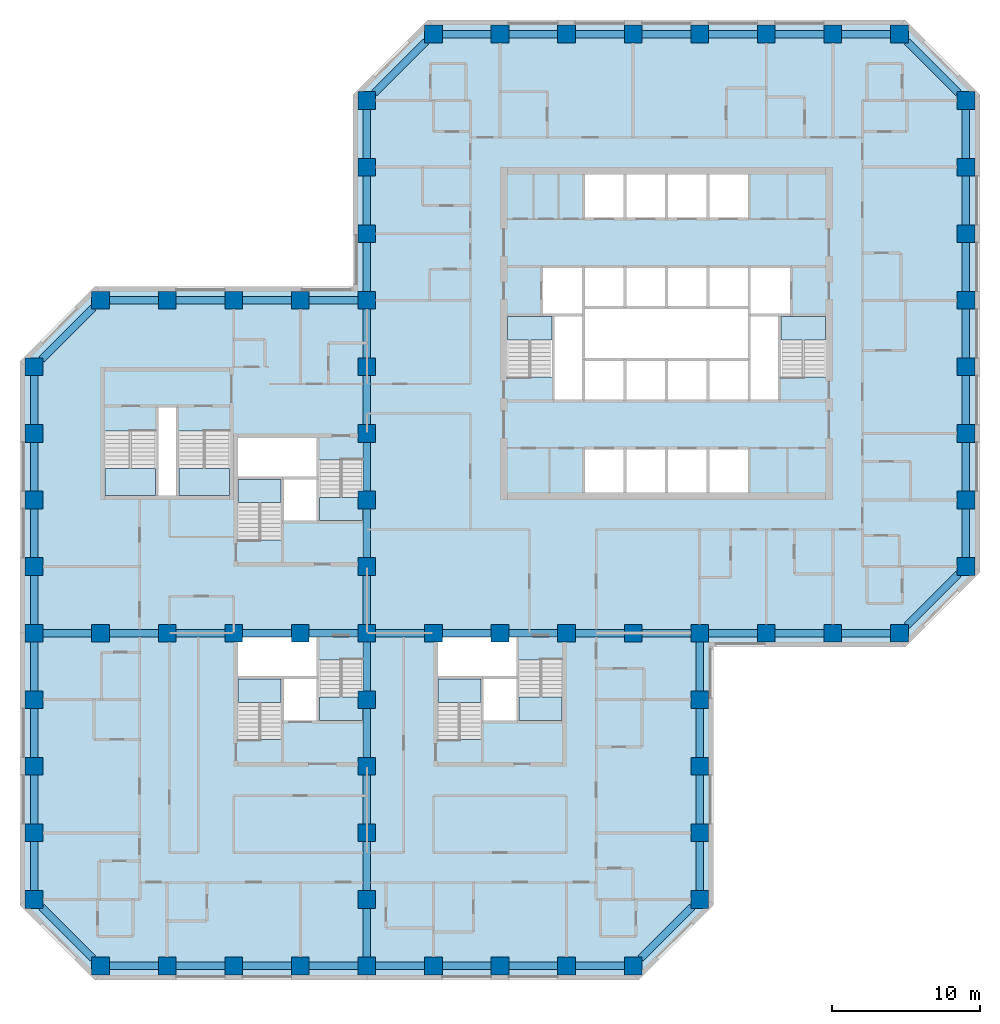
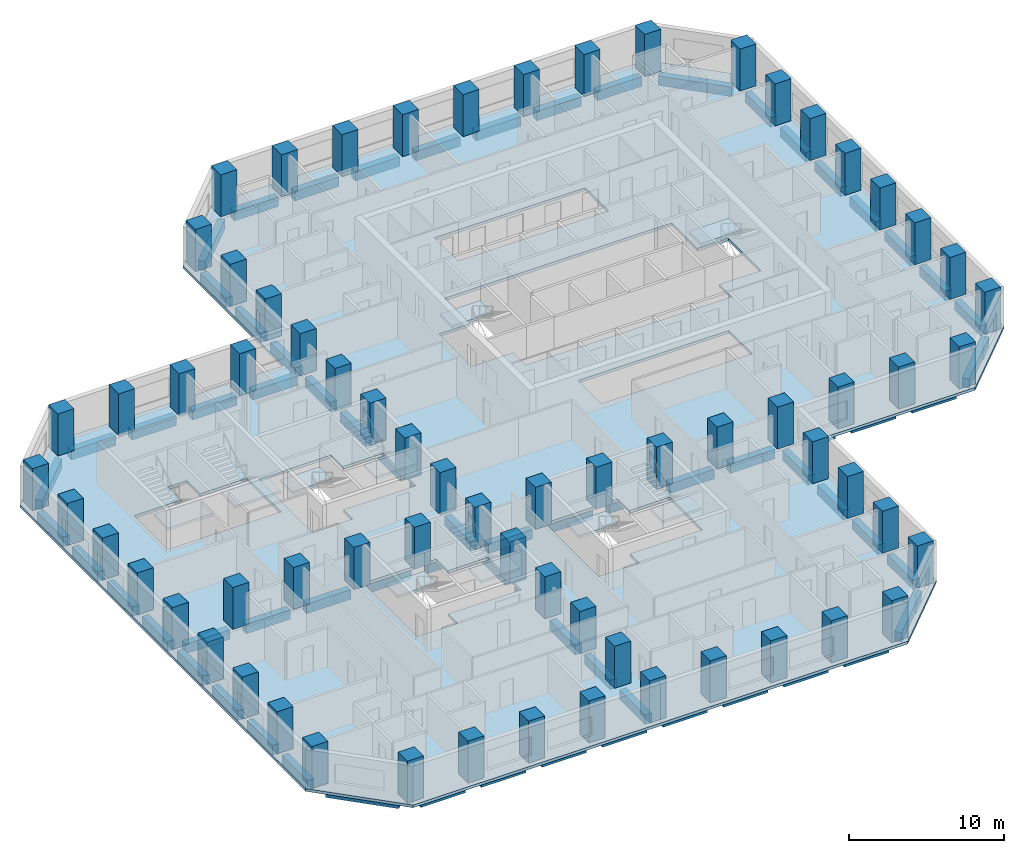
# One storey, part 1 of 12: 70 beams, 67 columns, 11 slabs, 10 elements without a shape of their own.
"""IFC4 building model written with IfcOpenShell, lengths in metres."""

from ifc_helpers import new_model, si_unit, direction, frame, origin, origin_2d, place, context, subcontext, project, spatial, polyline, rectangle, outline, extrude, material, layer, layer_set, material_profile, profile_set, type_object, element, aggregate, save


model = new_model("IFC4")

# Units and contexts
model_context = context("Model", 3, precision=1e-05, world=origin(), true_north=direction((0.0, 1.0)))
body_context = subcontext(model_context, "Body", "Model", "MODEL_VIEW")
ifc_project = project(units=[si_unit("LENGTHUNIT", "METRE"), si_unit("AREAUNIT", "SQUARE_METRE"), si_unit("VOLUMEUNIT", "CUBIC_METRE"), si_unit("PLANEANGLEUNIT", "RADIAN"), si_unit("MASSUNIT", "GRAM", prefix="KILO")], contexts=[model_context])

# Site, building, storey
site_placement = place(None, origin())
site = spatial("IfcSite", under=ifc_project, at=site_placement, CompositionType="ELEMENT")
building_placement = place(site_placement, origin())
building = spatial("IfcBuilding", under=site, at=building_placement, Name="Quoin Convention Tower", CompositionType="ELEMENT")
storey_placement = place(building_placement, frame((0.0, 0.0, 42.89990234375)))
storey = spatial("IfcBuildingStorey", under=building, at=storey_placement, Name="L10", CompositionType="ELEMENT", Elevation=42.89990234375)

# Columns
ifc_material_1 = material(Name="Concrete C80", Category="concrete")
ifc_material_profile_1 = material_profile(ifc_material_1, rectangle(XDim=1.199951171875, YDim=1.199951171875, at=origin_2d()), Name="RC 1200x1200")
ifc_profile_set_1 = profile_set([ifc_material_profile_1], Name="Concrete C80")
column_type = type_object("IfcColumnType", Name="RC 1200x1200 C80", PredefinedType="COLUMN", material=ifc_profile_set_1)
for number, where, z_axis, x_axis, name in (
    (1, (18.0, 18.0, 0.0), (0.0, 0.0, 1.0), (1.0, 0.0, 0.0), "col-L10-18000_18000"),
    (2, (22.5, 18.0, 0.0), (0.0, 0.0, 1.0), (1.0, 0.0, 0.0), "col-L10-22500_18000"),
    (3, (27.0, 18.0, 0.0), (0.0, 0.0, 1.0), (1.0, 0.0, 0.0), "col-L10-27000_18000"),
    (4, (31.5, 18.0, 0.0), (0.0, 0.0, 1.0), (1.0, 0.0, 0.0), "col-L10-31500_18000"),
    (5, (36.0, 18.0, 0.0), (0.0, 0.0, 1.0), (1.0, 0.0, 0.0), "col-L10-36000_18000"),
    (6, (40.5, 18.0, 0.0), (0.0, 0.0, 1.0), (1.0, 0.0, 0.0), "col-L10-40500_18000"),
    (7, (45.0, 18.0, 0.0), (0.0, 0.0, 1.0), (1.0, 0.0, 0.0), "col-L10-45000_18000"),
    (8, (49.5, 18.0, 0.0), (0.0, 0.0, 1.0), (1.0, 0.0, 0.0), "col-L10-49500_18000"),
    (9, (54.0, 18.0, 0.0), (0.0, 0.0, 1.0), (1.0, 0.0, 0.0), "col-L10-54000_18000"),
    (10, (13.5, 22.5, 0.0), (0.0, 0.0, 1.0), (1.0, 0.0, 0.0), "col-L10-13500_22500"),
    (11, (36.0, 22.5, 0.0), (0.0, 0.0, 1.0), (1.0, 0.0, 0.0), "web-L10-36000_22500"),
    (12, (58.5, 22.5, 0.0), (0.0, 0.0, 1.0), (1.0, 0.0, 0.0), "col-L10-58500_22500"),
    (13, (13.5, 27.0, 0.0), (0.0, 0.0, 1.0), (1.0, 0.0, 0.0), "col-L10-13500_27000"),
    (14, (36.0, 27.0, 0.0), (0.0, 0.0, 1.0), (1.0, 0.0, 0.0), "web-L10-36000_27000"),
    (15, (58.5, 27.0, 0.0), (0.0, 0.0, 1.0), (1.0, 0.0, 0.0), "col-L10-58500_27000"),
    (16, (13.5, 31.5, 0.0), (0.0, 0.0, 1.0), (1.0, 0.0, 0.0), "col-L10-13500_31500"),
    (17, (36.0, 31.5, 0.0), (0.0, 0.0, 1.0), (1.0, 0.0, 0.0), "web-L10-36000_31500"),
    (18, (58.5, 31.5, 0.0), (0.0, 0.0, 1.0), (1.0, 0.0, 0.0), "col-L10-58500_31500"),
    (19, (13.5, 36.0, 0.0), (0.0, 0.0, 1.0), (1.0, 0.0, 0.0), "col-L10-13500_36000"),
    (20, (36.0, 36.0, 0.0), (0.0, 0.0, 1.0), (1.0, 0.0, 0.0), "web-L10-36000_36000"),
    (21, (58.5, 36.0, 0.0), (0.0, 0.0, 1.0), (1.0, 0.0, 0.0), "col-L10-58500_36000"),
    (22, (13.5, 40.5, 0.0), (0.0, 0.0, 1.0), (1.0, 0.0, 0.0), "col-L10-13500_40500"),
    (23, (18.0, 40.5, 0.0), (0.0, 0.0, 1.0), (1.0, 0.0, 0.0), "web-L10-18000_40500"),
    (24, (22.5, 40.5, 0.0), (0.0, 0.0, 1.0), (1.0, 0.0, 0.0), "web-L10-22500_40500"),
    (25, (27.0, 40.5, 0.0), (0.0, 0.0, 1.0), (1.0, 0.0, 0.0), "web-L10-27000_40500"),
    (26, (31.5, 40.5, 0.0), (0.0, 0.0, 1.0), (1.0, 0.0, 0.0), "web-L10-31500_40500"),
    (27, (36.0, 40.5, 0.0), (0.0, 0.0, 1.0), (1.0, 0.0, 0.0), "web-L10-36000_40500"),
    (28, (40.5, 40.5, 0.0), (0.0, 0.0, 1.0), (1.0, 0.0, 0.0), "web-L10-40500_40500"),
    (29, (45.0, 40.5, 0.0), (0.0, 0.0, 1.0), (1.0, 0.0, 0.0), "web-L10-45000_40500"),
    (30, (49.5, 40.5, 0.0), (0.0, 0.0, 1.0), (1.0, 0.0, 0.0), "web-L10-49500_40500"),
    (31, (54.0, 40.5, 0.0), (0.0, 0.0, 1.0), (1.0, 0.0, 0.0), "web-L10-54000_40500"),
    (32, (58.5, 40.5, 0.0), (0.0, 0.0, 1.0), (1.0, 0.0, 0.0), "col-L10-58500_40500"),
    (33, (63.0, 40.5, 0.0), (0.0, 0.0, 1.0), (1.0, 0.0, 0.0), "col-L10-63000_40500"),
    (34, (67.5, 40.5, 0.0), (0.0, 0.0, 1.0), (1.0, 0.0, 0.0), "col-L10-67500_40500"),
    (35, (72.0, 40.5, 0.0), (0.0, 0.0, 1.0), (1.0, 0.0, 0.0), "col-L10-72000_40500"),
    (36, (13.5, 45.0, 0.0), (0.0, 0.0, 1.0), (1.0, 0.0, 0.0), "col-L10-13500_45000"),
    (37, (36.0, 45.0, 0.0), (0.0, 0.0, 1.0), (1.0, 0.0, 0.0), "web-L10-36000_45000"),
    (38, (76.5, 45.0, 0.0), (0.0, 0.0, 1.0), (1.0, 0.0, 0.0), "col-L10-76500_45000"),
    (39, (13.5, 49.5, 0.0), (0.0, 0.0, 1.0), (1.0, 0.0, 0.0), "col-L10-13500_49500"),
    (40, (36.0, 49.5, 0.0), (0.0, 0.0, 1.0), (1.0, 0.0, 0.0), "web-L10-36000_49500"),
    (41, (76.5, 49.5, 0.0), (0.0, 0.0, 1.0), (1.0, 0.0, 0.0), "col-L10-76500_49500"),
    (42, (13.5, 54.0, 0.0), (0.0, 0.0, 1.0), (1.0, 0.0, 0.0), "col-L10-13500_54000"),
    (43, (36.0, 54.0, 0.0), (0.0, 0.0, 1.0), (1.0, 0.0, 0.0), "web-L10-36000_54000"),
    (44, (76.5, 54.0, 0.0), (0.0, 0.0, 1.0), (1.0, 0.0, 0.0), "col-L10-76500_54000"),
    (45, (13.5, 58.5, 0.0), (0.0, 0.0, 1.0), (1.0, 0.0, 0.0), "col-L10-13500_58500"),
    (46, (36.0, 58.5, 0.0), (0.0, 0.0, 1.0), (1.0, 0.0, 0.0), "web-L10-36000_58500"),
    (47, (76.5, 58.5, 0.0), (0.0, 0.0, 1.0), (1.0, 0.0, 0.0), "col-L10-76500_58500"),
    (48, (18.0, 63.0, 0.0), (0.0, 0.0, 1.0), (1.0, 0.0, 0.0), "col-L10-18000_63000"),
    (49, (22.5, 63.0, 0.0), (0.0, 0.0, 1.0), (1.0, 0.0, 0.0), "col-L10-22500_63000"),
    (50, (27.0, 63.0, 0.0), (0.0, 0.0, 1.0), (1.0, 0.0, 0.0), "col-L10-27000_63000"),
    (51, (31.5, 63.0, 0.0), (0.0, 0.0, 1.0), (1.0, 0.0, 0.0), "col-L10-31500_63000"),
    (52, (36.0, 63.0, 0.0), (0.0, 0.0, 1.0), (1.0, 0.0, 0.0), "col-L10-36000_63000"),
    (53, (76.5, 63.0, 0.0), (0.0, 0.0, 1.0), (1.0, 0.0, 0.0), "col-L10-76500_63000"),
    (54, (36.0, 67.5, 0.0), (0.0, 0.0, 1.0), (1.0, 0.0, 0.0), "col-L10-36000_67500"),
    (55, (76.5, 67.5, 0.0), (0.0, 0.0, 1.0), (1.0, 0.0, 0.0), "col-L10-76500_67500"),
    (56, (36.0, 72.0, 0.0), (0.0, 0.0, 1.0), (1.0, 0.0, 0.0), "col-L10-36000_72000"),
    (57, (76.5, 72.0, 0.0), (0.0, 0.0, 1.0), (1.0, 0.0, 0.0), "col-L10-76500_72000"),
    (58, (36.0, 76.5, 0.0), (0.0, 0.0, 1.0), (1.0, 0.0, 0.0), "col-L10-36000_76500"),
    (59, (76.5, 76.5, 0.0), (0.0, 0.0, 1.0), (1.0, 0.0, 0.0), "col-L10-76500_76500"),
    (60, (40.5, 81.0, 0.0), (0.0, 0.0, 1.0), (1.0, 0.0, 0.0), "col-L10-40500_81000"),
    (61, (45.0, 81.0, 0.0), (0.0, 0.0, 1.0), (1.0, 0.0, 0.0), "col-L10-45000_81000"),
    (62, (49.5, 81.0, 0.0), (0.0, 0.0, 1.0), (1.0, 0.0, 0.0), "col-L10-49500_81000"),
    (63, (54.0, 81.0, 0.0), (0.0, 0.0, 1.0), (1.0, 0.0, 0.0), "col-L10-54000_81000"),
    (64, (58.5, 81.0, 0.0), (0.0, 0.0, 1.0), (1.0, 0.0, 0.0), "col-L10-58500_81000"),
    (65, (63.0, 81.0, 0.0), (0.0, 0.0, 1.0), (1.0, 0.0, 0.0), "col-L10-63000_81000"),
    (66, (67.5, 81.0, 0.0), (0.0, 0.0, 1.0), (1.0, 0.0, 0.0), "col-L10-67500_81000"),
    (67, (72.0, 81.0, 0.0), (0.0, 0.0, 1.0), (1.0, 0.0, 0.0), "col-L10-72000_81000"),
):
    element("IfcColumn", number, at=place(storey_placement, frame(where, z_axis=z_axis, x_axis=x_axis)), inside=storey, type_object=column_type, Name=name, PredefinedType="COLUMN", context=body_context, shape_type="SweptSolid", body=[
        extrude(rectangle(XDim=1.199951171875, YDim=1.199951171875, at=origin_2d()), origin(), (0.0, 0.0, 1.0), 3.300048828125),
    ])

# Beams
ifc_material_profile_2 = material_profile(ifc_material_1, rectangle(XDim=0.5, YDim=0.75, at=origin_2d()), Name="RC 500x750")
ifc_profile_set_2 = profile_set([ifc_material_profile_2], Name="Concrete C80")
beam_type = type_object("IfcBeamType", Name="RC 500x750 C80", PredefinedType="SPANDREL", material=ifc_profile_set_2)
beam_1_placement = place(storey_placement, frame((14.01513671875, 21.98486328125, -0.594970703125), z_axis=(0.707106781187, -0.707106781187, 0.0), x_axis=(0.707106781187, 0.707106781187, 0.0)))
element("IfcBeam", 68, at=beam_1_placement, inside=storey, type_object=beam_type, Name="spd-L10-13500_22500-18000_18000", PredefinedType="SPANDREL", context=body_context, shape_type="SweptSolid", body=[
    extrude(rectangle(XDim=0.5, YDim=0.75, at=origin_2d()), origin(), (0.0, 0.0, 1.0), 4.906982421875),
])
for number, where, z_axis, x_axis, name in (
    (69, (18.60009765625, 18.0, -0.594970703125), (1.0, 0.0, 0.0), (0.0, 1.0, 0.0), "spd-L10-18000_18000-22500_18000"),
    (70, (23.10009765625, 18.0, -0.594970703125), (1.0, 0.0, 0.0), (0.0, 1.0, 0.0), "spd-L10-22500_18000-27000_18000"),
    (71, (27.60009765625, 18.0, -0.594970703125), (1.0, 0.0, 0.0), (0.0, 1.0, 0.0), "spd-L10-27000_18000-31500_18000"),
    (72, (32.10009765625, 18.0, -0.594970703125), (1.0, 0.0, 0.0), (0.0, 1.0, 0.0), "spd-L10-31500_18000-36000_18000"),
    (73, (36.60009765625, 18.0, -0.594970703125), (1.0, 0.0, 0.0), (0.0, 1.0, 0.0), "spd-L10-36000_18000-40500_18000"),
    (74, (41.10009765625, 18.0, -0.594970703125), (1.0, 0.0, 0.0), (0.0, 1.0, 0.0), "spd-L10-40500_18000-45000_18000"),
    (75, (45.60009765625, 18.0, -0.594970703125), (1.0, 0.0, 0.0), (0.0, 1.0, 0.0), "spd-L10-45000_18000-49500_18000"),
    (76, (50.10009765625, 18.0, -0.594970703125), (1.0, 0.0, 0.0), (0.0, 1.0, 0.0), "spd-L10-49500_18000-54000_18000"),
):
    element("IfcBeam", number, at=place(storey_placement, frame(where, z_axis=z_axis, x_axis=x_axis)), inside=storey, type_object=beam_type, Name=name, PredefinedType="SPANDREL", context=body_context, shape_type="SweptSolid", body=[
        extrude(rectangle(XDim=0.5, YDim=0.75, at=origin_2d()), origin(), (0.0, 0.0, 1.0), 3.2998046875),
    ])
beam_2_placement = place(storey_placement, frame((54.51513671875, 18.51513671875, -0.594970703125), z_axis=(0.707106781187, 0.707106781187, 0.0), x_axis=(-0.707106781187, 0.707106781187, 0.0)))
element("IfcBeam", 77, at=beam_2_placement, inside=storey, type_object=beam_type, Name="spd-L10-54000_18000-58500_22500", PredefinedType="SPANDREL", context=body_context, shape_type="SweptSolid", body=[
    extrude(rectangle(XDim=0.5, YDim=0.75, at=origin_2d()), origin(), (0.0, 0.0, 1.0), 4.906982421875),
])
for number, where, z_axis, x_axis, name in (
    (78, (58.5, 23.10009765625, -0.594970703125), (0.0, 1.0, 0.0), (-1.0, 0.0, 0.0), "spd-L10-58500_22500-58500_27000"),
    (79, (58.5, 27.60009765625, -0.594970703125), (0.0, 1.0, 0.0), (-1.0, 0.0, 0.0), "spd-L10-58500_27000-58500_31500"),
    (80, (58.5, 32.10009765625, -0.594970703125), (0.0, 1.0, 0.0), (-1.0, 0.0, 0.0), "spd-L10-58500_31500-58500_36000"),
    (81, (58.5, 36.60009765625, -0.594970703125), (0.0, 1.0, 0.0), (-1.0, 0.0, 0.0), "spd-L10-58500_36000-58500_40500"),
    (82, (59.10009765625, 40.5, -0.594970703125), (1.0, 0.0, 0.0), (0.0, 1.0, 0.0), "spd-L10-58500_40500-63000_40500"),
    (83, (63.60009765625, 40.5, -0.594970703125), (1.0, 0.0, 0.0), (0.0, 1.0, 0.0), "spd-L10-63000_40500-67500_40500"),
    (84, (68.10009765625, 40.5, -0.594970703125), (1.0, 0.0, 0.0), (0.0, 1.0, 0.0), "spd-L10-67500_40500-72000_40500"),
):
    element("IfcBeam", number, at=place(storey_placement, frame(where, z_axis=z_axis, x_axis=x_axis)), inside=storey, type_object=beam_type, Name=name, PredefinedType="SPANDREL", context=body_context, shape_type="SweptSolid", body=[
        extrude(rectangle(XDim=0.5, YDim=0.75, at=origin_2d()), origin(), (0.0, 0.0, 1.0), 3.2998046875),
    ])
beam_3_placement = place(storey_placement, frame((72.51513671875, 41.01513671875, -0.594970703125), z_axis=(0.707106781187, 0.707106781187, 0.0), x_axis=(-0.707106781187, 0.707106781187, 0.0)))
element("IfcBeam", 85, at=beam_3_placement, inside=storey, type_object=beam_type, Name="spd-L10-72000_40500-76500_45000", PredefinedType="SPANDREL", context=body_context, shape_type="SweptSolid", body=[
    extrude(rectangle(XDim=0.5, YDim=0.75, at=origin_2d()), origin(), (0.0, 0.0, 1.0), 4.906982421875),
])
for number, where, z_axis, x_axis, name in (
    (86, (76.5, 45.60009765625, -0.594970703125), (0.0, 1.0, 0.0), (-1.0, 0.0, 0.0), "spd-L10-76500_45000-76500_49500"),
    (87, (76.5, 50.10009765625, -0.594970703125), (0.0, 1.0, 0.0), (-1.0, 0.0, 0.0), "spd-L10-76500_49500-76500_54000"),
    (88, (76.5, 54.60009765625, -0.594970703125), (0.0, 1.0, 0.0), (-1.0, 0.0, 0.0), "spd-L10-76500_54000-76500_58500"),
    (89, (76.5, 59.10009765625, -0.594970703125), (0.0, 1.0, 0.0), (-1.0, 0.0, 0.0), "spd-L10-76500_58500-76500_63000"),
    (90, (76.5, 63.60009765625, -0.594970703125), (0.0, 1.0, 0.0), (-1.0, 0.0, 0.0), "spd-L10-76500_63000-76500_67500"),
    (91, (76.5, 68.10009765625, -0.594970703125), (0.0, 1.0, 0.0), (-1.0, 0.0, 0.0), "spd-L10-76500_67500-76500_72000"),
    (92, (76.5, 72.60009765625, -0.594970703125), (0.0, 1.0, 0.0), (-1.0, 0.0, 0.0), "spd-L10-76500_72000-76500_76500"),
):
    element("IfcBeam", number, at=place(storey_placement, frame(where, z_axis=z_axis, x_axis=x_axis)), inside=storey, type_object=beam_type, Name=name, PredefinedType="SPANDREL", context=body_context, shape_type="SweptSolid", body=[
        extrude(rectangle(XDim=0.5, YDim=0.75, at=origin_2d()), origin(), (0.0, 0.0, 1.0), 3.2998046875),
    ])
beam_4_placement = place(storey_placement, frame((75.98486328125, 77.01513671875, -0.594970703125), z_axis=(-0.707106781187, 0.707106781187, 0.0), x_axis=(-0.707106781187, -0.707106781187, 0.0)))
element("IfcBeam", 93, at=beam_4_placement, inside=storey, type_object=beam_type, Name="spd-L10-76500_76500-72000_81000", PredefinedType="SPANDREL", context=body_context, shape_type="SweptSolid", body=[
    extrude(rectangle(XDim=0.5, YDim=0.75, at=origin_2d()), origin(), (0.0, 0.0, 1.0), 4.906982421875),
])
for number, where, z_axis, x_axis, name in (
    (94, (71.39990234375, 81.0, -0.594970703125), (-1.0, 0.0, 0.0), (0.0, -1.0, 0.0), "spd-L10-72000_81000-67500_81000"),
    (95, (66.89990234375, 81.0, -0.594970703125), (-1.0, 0.0, 0.0), (0.0, -1.0, 0.0), "spd-L10-67500_81000-63000_81000"),
    (96, (62.39990234375, 81.0, -0.594970703125), (-1.0, 0.0, 0.0), (0.0, -1.0, 0.0), "spd-L10-63000_81000-58500_81000"),
    (97, (57.89990234375, 81.0, -0.594970703125), (-1.0, 0.0, 0.0), (0.0, -1.0, 0.0), "spd-L10-58500_81000-54000_81000"),
    (98, (53.39990234375, 81.0, -0.594970703125), (-1.0, 0.0, 0.0), (0.0, -1.0, 0.0), "spd-L10-54000_81000-49500_81000"),
    (99, (48.89990234375, 81.0, -0.594970703125), (-1.0, 0.0, 0.0), (0.0, -1.0, 0.0), "spd-L10-49500_81000-45000_81000"),
    (100, (44.39990234375, 81.0, -0.594970703125), (-1.0, 0.0, 0.0), (0.0, -1.0, 0.0), "spd-L10-45000_81000-40500_81000"),
):
    element("IfcBeam", number, at=place(storey_placement, frame(where, z_axis=z_axis, x_axis=x_axis)), inside=storey, type_object=beam_type, Name=name, PredefinedType="SPANDREL", context=body_context, shape_type="SweptSolid", body=[
        extrude(rectangle(XDim=0.5, YDim=0.75, at=origin_2d()), origin(), (0.0, 0.0, 1.0), 3.2998046875),
    ])
beam_5_placement = place(storey_placement, frame((39.98486328125, 80.48486328125, -0.594970703125), z_axis=(-0.707106781187, -0.707106781187, 0.0), x_axis=(0.707106781187, -0.707106781187, 0.0)))
element("IfcBeam", 101, at=beam_5_placement, inside=storey, type_object=beam_type, Name="spd-L10-40500_81000-36000_76500", PredefinedType="SPANDREL", context=body_context, shape_type="SweptSolid", body=[
    extrude(rectangle(XDim=0.5, YDim=0.75, at=origin_2d()), origin(), (0.0, 0.0, 1.0), 4.906982421875),
])
for number, where, z_axis, x_axis, name in (
    (102, (36.0, 75.89990234375, -0.594970703125), (0.0, -1.0, 0.0), (1.0, 0.0, 0.0), "spd-L10-36000_76500-36000_72000"),
    (103, (36.0, 71.39990234375, -0.594970703125), (0.0, -1.0, 0.0), (1.0, 0.0, 0.0), "spd-L10-36000_72000-36000_67500"),
    (104, (36.0, 66.89990234375, -0.594970703125), (0.0, -1.0, 0.0), (1.0, 0.0, 0.0), "spd-L10-36000_67500-36000_63000"),
    (105, (35.39990234375, 63.0, -0.594970703125), (-1.0, 0.0, 0.0), (0.0, -1.0, 0.0), "spd-L10-36000_63000-31500_63000"),
    (106, (30.89990234375, 63.0, -0.594970703125), (-1.0, 0.0, 0.0), (0.0, -1.0, 0.0), "spd-L10-31500_63000-27000_63000"),
    (107, (26.39990234375, 63.0, -0.594970703125), (-1.0, 0.0, 0.0), (0.0, -1.0, 0.0), "spd-L10-27000_63000-22500_63000"),
    (108, (21.89990234375, 63.0, -0.594970703125), (-1.0, 0.0, 0.0), (0.0, -1.0, 0.0), "spd-L10-22500_63000-18000_63000"),
):
    element("IfcBeam", number, at=place(storey_placement, frame(where, z_axis=z_axis, x_axis=x_axis)), inside=storey, type_object=beam_type, Name=name, PredefinedType="SPANDREL", context=body_context, shape_type="SweptSolid", body=[
        extrude(rectangle(XDim=0.5, YDim=0.75, at=origin_2d()), origin(), (0.0, 0.0, 1.0), 3.2998046875),
    ])
beam_6_placement = place(storey_placement, frame((17.48486328125, 62.48486328125, -0.594970703125), z_axis=(-0.707106781187, -0.707106781187, 0.0), x_axis=(0.707106781187, -0.707106781187, 0.0)))
element("IfcBeam", 109, at=beam_6_placement, inside=storey, type_object=beam_type, Name="spd-L10-18000_63000-13500_58500", PredefinedType="SPANDREL", context=body_context, shape_type="SweptSolid", body=[
    extrude(rectangle(XDim=0.5, YDim=0.75, at=origin_2d()), origin(), (0.0, 0.0, 1.0), 4.906982421875),
])
for number, where, z_axis, x_axis, name in (
    (110, (13.5, 57.89990234375, -0.594970703125), (0.0, -1.0, 0.0), (1.0, 0.0, 0.0), "spd-L10-13500_58500-13500_54000"),
    (111, (13.5, 53.39990234375, -0.594970703125), (0.0, -1.0, 0.0), (1.0, 0.0, 0.0), "spd-L10-13500_54000-13500_49500"),
    (112, (13.5, 48.89990234375, -0.594970703125), (0.0, -1.0, 0.0), (1.0, 0.0, 0.0), "spd-L10-13500_49500-13500_45000"),
    (113, (13.5, 44.39990234375, -0.594970703125), (0.0, -1.0, 0.0), (1.0, 0.0, 0.0), "spd-L10-13500_45000-13500_40500"),
    (114, (13.5, 39.89990234375, -0.594970703125), (0.0, -1.0, 0.0), (1.0, 0.0, 0.0), "spd-L10-13500_40500-13500_36000"),
    (115, (13.5, 35.39990234375, -0.594970703125), (0.0, -1.0, 0.0), (1.0, 0.0, 0.0), "spd-L10-13500_36000-13500_31500"),
    (116, (13.5, 30.89990234375, -0.594970703125), (0.0, -1.0, 0.0), (1.0, 0.0, 0.0), "spd-L10-13500_31500-13500_27000"),
    (117, (13.5, 26.39990234375, -0.594970703125), (0.0, -1.0, 0.0), (1.0, 0.0, 0.0), "spd-L10-13500_27000-13500_22500"),
    (118, (14.10009765625, 40.5, -0.594970703125), (1.0, 0.0, 0.0), (0.0, 1.0, 0.0), "spd-L10-13500_40500-18000_40500"),
    (119, (18.60009765625, 40.5, -0.594970703125), (1.0, 0.0, 0.0), (0.0, 1.0, 0.0), "spd-L10-18000_40500-22500_40500"),
    (120, (23.10009765625, 40.5, -0.594970703125), (1.0, 0.0, 0.0), (0.0, 1.0, 0.0), "spd-L10-22500_40500-27000_40500"),
    (121, (27.60009765625, 40.5, -0.594970703125), (1.0, 0.0, 0.0), (0.0, 1.0, 0.0), "spd-L10-27000_40500-31500_40500"),
    (122, (32.10009765625, 40.5, -0.594970703125), (1.0, 0.0, 0.0), (0.0, 1.0, 0.0), "spd-L10-31500_40500-36000_40500"),
    (123, (36.60009765625, 40.5, -0.594970703125), (1.0, 0.0, 0.0), (0.0, 1.0, 0.0), "spd-L10-36000_40500-40500_40500"),
    (124, (41.10009765625, 40.5, -0.594970703125), (1.0, 0.0, 0.0), (0.0, 1.0, 0.0), "spd-L10-40500_40500-45000_40500"),
    (125, (45.60009765625, 40.5, -0.594970703125), (1.0, 0.0, 0.0), (0.0, 1.0, 0.0), "spd-L10-45000_40500-49500_40500"),
    (126, (50.10009765625, 40.5, -0.594970703125), (1.0, 0.0, 0.0), (0.0, 1.0, 0.0), "spd-L10-49500_40500-54000_40500"),
    (127, (54.60009765625, 40.5, -0.594970703125), (1.0, 0.0, 0.0), (0.0, 1.0, 0.0), "spd-L10-54000_40500-58500_40500"),
    (128, (36.0, 18.60009765625, -0.594970703125), (0.0, 1.0, 0.0), (-1.0, 0.0, 0.0), "spd-L10-36000_18000-36000_22500"),
    (129, (36.0, 23.10009765625, -0.594970703125), (0.0, 1.0, 0.0), (-1.0, 0.0, 0.0), "spd-L10-36000_22500-36000_27000"),
    (130, (36.0, 27.60009765625, -0.594970703125), (0.0, 1.0, 0.0), (-1.0, 0.0, 0.0), "spd-L10-36000_27000-36000_31500"),
    (131, (36.0, 32.10009765625, -0.594970703125), (0.0, 1.0, 0.0), (-1.0, 0.0, 0.0), "spd-L10-36000_31500-36000_36000"),
    (132, (36.0, 36.60009765625, -0.594970703125), (0.0, 1.0, 0.0), (-1.0, 0.0, 0.0), "spd-L10-36000_36000-36000_40500"),
    (133, (36.0, 41.10009765625, -0.594970703125), (0.0, 1.0, 0.0), (-1.0, 0.0, 0.0), "spd-L10-36000_40500-36000_45000"),
    (134, (36.0, 45.60009765625, -0.594970703125), (0.0, 1.0, 0.0), (-1.0, 0.0, 0.0), "spd-L10-36000_45000-36000_49500"),
    (135, (36.0, 50.10009765625, -0.594970703125), (0.0, 1.0, 0.0), (-1.0, 0.0, 0.0), "spd-L10-36000_49500-36000_54000"),
    (136, (36.0, 54.60009765625, -0.594970703125), (0.0, 1.0, 0.0), (-1.0, 0.0, 0.0), "spd-L10-36000_54000-36000_58500"),
    (137, (36.0, 59.10009765625, -0.594970703125), (0.0, 1.0, 0.0), (-1.0, 0.0, 0.0), "spd-L10-36000_58500-36000_63000"),
):
    element("IfcBeam", number, at=place(storey_placement, frame(where, z_axis=z_axis, x_axis=x_axis)), inside=storey, type_object=beam_type, Name=name, PredefinedType="SPANDREL", context=body_context, shape_type="SweptSolid", body=[
        extrude(rectangle(XDim=0.5, YDim=0.75, at=origin_2d()), origin(), (0.0, 0.0, 1.0), 3.2998046875),
    ])

# Slab
ifc_material_2 = material(Name="Concrete C50", Category="concrete")
ifc_layer_1 = layer(ifc_material_2, 0.219970703125)
ifc_layer_set_1 = layer_set([ifc_layer_1], Name="Concrete C50")
slab_type_1 = type_object("IfcSlabType", Name="RC SLAB 220 C50", PredefinedType="FLOOR", material=ifc_layer_set_1)
slab_1_placement = place(storey_placement, frame((0.0, 0.0, -0.219970703125)))
element("IfcSlab", 138, at=slab_1_placement, inside=storey, type_object=slab_type_1, Name="slb-L10", PredefinedType="FLOOR", context=body_context, shape_type="SweptSolid", body=[
    extrude(outline(polyline([(12.550048828125, 58.8935546875), (17.6064453125, 63.949951171875), (35.050048828125, 63.949951171875), (35.050048828125, 76.8935546875), (40.1064453125, 81.949951171875), (72.3935546875, 81.949951171875), (77.449951171875, 76.8935546875), (77.449951171875, 44.6064453125), (72.3935546875, 39.550048828125), (59.449951171875, 39.550048828125), (59.449951171875, 22.1064453125), (54.3935546875, 17.050048828125), (17.6064453125, 17.050048828125), (12.550048828125, 22.1064453125), (12.550048828125, 58.8935546875)]), holes=[polyline([(30.300048828125, 33.300537109375), (30.300048828125, 34.5), (32.699951171875, 34.5), (35.699951171875, 34.5), (35.699951171875, 38.699462890625), (32.699951171875, 38.699462890625), (32.699951171875, 40.199951171875), (27.300048828125, 40.199951171875), (27.300048828125, 37.5), (27.300048828125, 33.300537109375), (30.300048828125, 33.300537109375)]), polyline([(43.800048828125, 33.300537109375), (43.800048828125, 34.5), (46.199951171875, 34.5), (49.199951171875, 34.5), (49.199951171875, 38.699462890625), (46.199951171875, 38.699462890625), (46.199951171875, 40.199951171875), (40.800048828125, 40.199951171875), (40.800048828125, 37.5), (40.800048828125, 33.300537109375), (43.800048828125, 33.300537109375)]), polyline([(27.300048828125, 46.800537109375), (30.300048828125, 46.800537109375), (30.300048828125, 48.0), (32.699951171875, 48.0), (35.699951171875, 48.0), (35.699951171875, 52.199462890625), (32.699951171875, 52.199462890625), (32.699951171875, 53.699951171875), (27.300048828125, 53.699951171875), (27.300048828125, 51.0), (27.300048828125, 46.800537109375)]), polyline([(53.449951171875, 50.0), (56.25, 50.0), (59.050048828125, 50.0), (61.85009765625, 50.0), (61.85009765625, 53.0), (59.050048828125, 53.0), (56.25, 53.0), (53.449951171875, 53.0), (50.64990234375, 53.0), (50.64990234375, 50.0), (53.449951171875, 50.0)]), polyline([(23.199951171875, 49.800048828125), (26.699951171875, 49.800048828125), (26.699951171875, 54.1494140625), (23.199951171875, 54.1494140625), (23.199951171875, 55.85009765625), (21.800048828125, 55.85009765625), (21.800048828125, 54.1494140625), (18.300048828125, 54.1494140625), (18.300048828125, 49.800048828125), (21.800048828125, 49.800048828125), (23.199951171875, 49.800048828125)]), polyline([(45.5, 57.800537109375), (48.60009765625, 57.800537109375), (48.60009765625, 56.199951171875), (50.64990234375, 56.199951171875), (53.449951171875, 56.199951171875), (56.25, 56.199951171875), (59.050048828125, 56.199951171875), (61.85009765625, 56.199951171875), (63.89990234375, 56.199951171875), (63.89990234375, 57.800537109375), (67.0, 57.800537109375), (67.0, 62.0), (64.699951171875, 62.0), (64.699951171875, 65.300048828125), (61.85009765625, 65.300048828125), (59.050048828125, 65.300048828125), (56.25, 65.300048828125), (53.449951171875, 65.300048828125), (50.64990234375, 65.300048828125), (47.800048828125, 65.300048828125), (47.800048828125, 62.0), (45.5, 62.0), (45.5, 57.800537109375)]), polyline([(59.050048828125, 68.5), (61.85009765625, 68.5), (61.85009765625, 71.5), (59.050048828125, 71.5), (56.25, 71.5), (53.449951171875, 71.5), (50.64990234375, 71.5), (50.64990234375, 68.5), (53.449951171875, 68.5), (56.25, 68.5), (59.050048828125, 68.5)])]), origin(), (0.0, 0.0, 1.0), 0.219970703125),
])

# Stair, slab
ifc_material_3 = material(Name="Concrete C40", Category="concrete")
stair_type_1 = type_object("IfcStairType", Name="Exit stair two-flight 1350", PredefinedType="HALF_TURN_STAIR", material=ifc_material_3)
stair_1_placement = place(storey_placement, origin())
stair_1 = element("IfcStair", 139, at=stair_1_placement, inside=storey, type_object=stair_type_1, Name="SD1 L10", PredefinedType="HALF_TURN_STAIR")
ifc_layer_2 = layer(ifc_material_3, 0.199951171875)
ifc_layer_set_2 = layer_set([ifc_layer_2], Name="Concrete C40")
slab_type_2 = type_object("IfcSlabType", Name="Stair landing 200", PredefinedType="LANDING", material=ifc_layer_set_2)
slab_2_placement = place(storey_placement, frame((0.0, 0.0, 1.4501953125)))
slab_2 = element("IfcSlab", 140, at=slab_2_placement, type_object=slab_type_2, Name="ST1 landing 1", PredefinedType="LANDING", context=body_context, shape_type="SweptSolid", body=[
    extrude(outline(polyline([(45.5, 60.320068359375), (48.5, 60.320068359375), (48.5, 61.89990234375), (45.5, 61.89990234375), (45.5, 60.320068359375)])), origin(), (0.0, 0.0, 1.0), 0.199951171875),
])
aggregate(stair_1, [slab_2])

stair_2_placement = place(storey_placement, origin())
stair_2 = element("IfcStair", 141, at=stair_2_placement, inside=storey, type_object=stair_type_1, Name="SD2 L10", PredefinedType="HALF_TURN_STAIR")
slab_3_placement = place(storey_placement, frame((0.0, 0.0, 1.4501953125)))
slab_3 = element("IfcSlab", 142, at=slab_3_placement, type_object=slab_type_2, Name="ST2 landing 1", PredefinedType="LANDING", context=body_context, shape_type="SweptSolid", body=[
    extrude(outline(polyline([(64.0, 60.320068359375), (67.0, 60.320068359375), (67.0, 61.89990234375), (64.0, 61.89990234375), (64.0, 60.320068359375)])), origin(), (0.0, 0.0, 1.0), 0.199951171875),
])
aggregate(stair_2, [slab_3])

stair_3_placement = place(storey_placement, origin())
stair_3 = element("IfcStair", 143, at=stair_3_placement, inside=storey, type_object=stair_type_1, Name="SD3 L10", PredefinedType="HALF_TURN_STAIR")
slab_4_placement = place(storey_placement, frame((0.0, 0.0, 1.4501953125)))
slab_4 = element("IfcSlab", 144, at=slab_4_placement, type_object=slab_type_2, Name="ST3 landing 1", PredefinedType="LANDING", context=body_context, shape_type="SweptSolid", body=[
    extrude(outline(polyline([(27.300048828125, 49.320068359375), (30.199951171875, 49.320068359375), (30.199951171875, 50.89990234375), (27.300048828125, 50.89990234375), (27.300048828125, 49.320068359375)])), origin(), (0.0, 0.0, 1.0), 0.199951171875),
])
aggregate(stair_3, [slab_4])

stair_4_placement = place(storey_placement, origin())
stair_4 = element("IfcStair", 145, at=stair_4_placement, inside=storey, type_object=stair_type_1, Name="SD4 L10", PredefinedType="HALF_TURN_STAIR")
slab_5_placement = place(storey_placement, frame((0.0, 0.0, 1.4501953125)))
slab_5 = element("IfcSlab", 146, at=slab_5_placement, type_object=slab_type_2, Name="ST4 landing 1", PredefinedType="LANDING", context=body_context, shape_type="SweptSolid", body=[
    extrude(outline(polyline([(35.699951171875, 49.679931640625), (32.800048828125, 49.679931640625), (32.800048828125, 48.10009765625), (35.699951171875, 48.10009765625), (35.699951171875, 49.679931640625)])), origin(), (0.0, 0.0, 1.0), 0.199951171875),
])
aggregate(stair_4, [slab_5])

stair_5_placement = place(storey_placement, origin())
stair_5 = element("IfcStair", 147, at=stair_5_placement, inside=storey, type_object=stair_type_1, Name="SD5 L10", PredefinedType="HALF_TURN_STAIR")
slab_6_placement = place(storey_placement, frame((0.0, 0.0, 1.4501953125)))
slab_6 = element("IfcSlab", 148, at=slab_6_placement, type_object=slab_type_2, Name="ST5 landing 1", PredefinedType="LANDING", context=body_context, shape_type="SweptSolid", body=[
    extrude(outline(polyline([(40.800048828125, 35.820068359375), (43.699951171875, 35.820068359375), (43.699951171875, 37.39990234375), (40.800048828125, 37.39990234375), (40.800048828125, 35.820068359375)])), origin(), (0.0, 0.0, 1.0), 0.199951171875),
])
aggregate(stair_5, [slab_6])

stair_6_placement = place(storey_placement, origin())
stair_6 = element("IfcStair", 149, at=stair_6_placement, inside=storey, type_object=stair_type_1, Name="SD6 L10", PredefinedType="HALF_TURN_STAIR")
slab_7_placement = place(storey_placement, frame((0.0, 0.0, 1.4501953125)))
slab_7 = element("IfcSlab", 150, at=slab_7_placement, type_object=slab_type_2, Name="ST6 landing 1", PredefinedType="LANDING", context=body_context, shape_type="SweptSolid", body=[
    extrude(outline(polyline([(49.199951171875, 36.179931640625), (46.300048828125, 36.179931640625), (46.300048828125, 34.60009765625), (49.199951171875, 34.60009765625), (49.199951171875, 36.179931640625)])), origin(), (0.0, 0.0, 1.0), 0.199951171875),
])
aggregate(stair_6, [slab_7])

stair_7_placement = place(storey_placement, origin())
stair_7 = element("IfcStair", 151, at=stair_7_placement, inside=storey, type_object=stair_type_1, Name="SD7 L10", PredefinedType="HALF_TURN_STAIR")
slab_8_placement = place(storey_placement, frame((0.0, 0.0, 1.4501953125)))
slab_8 = element("IfcSlab", 152, at=slab_8_placement, type_object=slab_type_2, Name="ST7 landing 1", PredefinedType="LANDING", context=body_context, shape_type="SweptSolid", body=[
    extrude(outline(polyline([(27.300048828125, 35.820068359375), (30.199951171875, 35.820068359375), (30.199951171875, 37.39990234375), (27.300048828125, 37.39990234375), (27.300048828125, 35.820068359375)])), origin(), (0.0, 0.0, 1.0), 0.199951171875),
])
aggregate(stair_7, [slab_8])

stair_8_placement = place(storey_placement, origin())
stair_8 = element("IfcStair", 153, at=stair_8_placement, inside=storey, type_object=stair_type_1, Name="SD8 L10", PredefinedType="HALF_TURN_STAIR")
slab_9_placement = place(storey_placement, frame((0.0, 0.0, 1.4501953125)))
slab_9 = element("IfcSlab", 154, at=slab_9_placement, type_object=slab_type_2, Name="ST8 landing 1", PredefinedType="LANDING", context=body_context, shape_type="SweptSolid", body=[
    extrude(outline(polyline([(35.699951171875, 36.179931640625), (32.800048828125, 36.179931640625), (32.800048828125, 34.60009765625), (35.699951171875, 34.60009765625), (35.699951171875, 36.179931640625)])), origin(), (0.0, 0.0, 1.0), 0.199951171875),
])
aggregate(stair_8, [slab_9])

stair_type_2 = type_object("IfcStairType", Name="Exit stair two-flight 1600", PredefinedType="HALF_TURN_STAIR", material=ifc_material_3)
stair_9_placement = place(storey_placement, origin())
stair_9 = element("IfcStair", 155, at=stair_9_placement, inside=storey, type_object=stair_type_2, Name="SD11 L10", PredefinedType="HALF_TURN_STAIR")
slab_10_placement = place(storey_placement, frame((0.0, 0.0, 1.4501953125)))
slab_10 = element("IfcSlab", 156, at=slab_10_placement, type_object=slab_type_2, Name="ST11 landing 1", PredefinedType="LANDING", context=body_context, shape_type="SweptSolid", body=[
    extrude(outline(polyline([(21.699951171875, 51.6298828125), (18.300048828125, 51.6298828125), (18.300048828125, 49.800048828125), (21.699951171875, 49.800048828125), (21.699951171875, 51.6298828125)])), origin(), (0.0, 0.0, 1.0), 0.199951171875),
])
aggregate(stair_9, [slab_10])

stair_10_placement = place(storey_placement, origin())
stair_10 = element("IfcStair", 157, at=stair_10_placement, inside=storey, type_object=stair_type_2, Name="SD12 L10", PredefinedType="HALF_TURN_STAIR")
slab_11_placement = place(storey_placement, frame((0.0, 0.0, 1.4501953125)))
slab_11 = element("IfcSlab", 158, at=slab_11_placement, type_object=slab_type_2, Name="ST12 landing 1", PredefinedType="LANDING", context=body_context, shape_type="SweptSolid", body=[
    extrude(outline(polyline([(26.699951171875, 51.6298828125), (23.300048828125, 51.6298828125), (23.300048828125, 49.800048828125), (26.699951171875, 49.800048828125), (26.699951171875, 51.6298828125)])), origin(), (0.0, 0.0, 1.0), 0.199951171875),
])
aggregate(stair_10, [slab_11])

save(model, "model.ifc")
